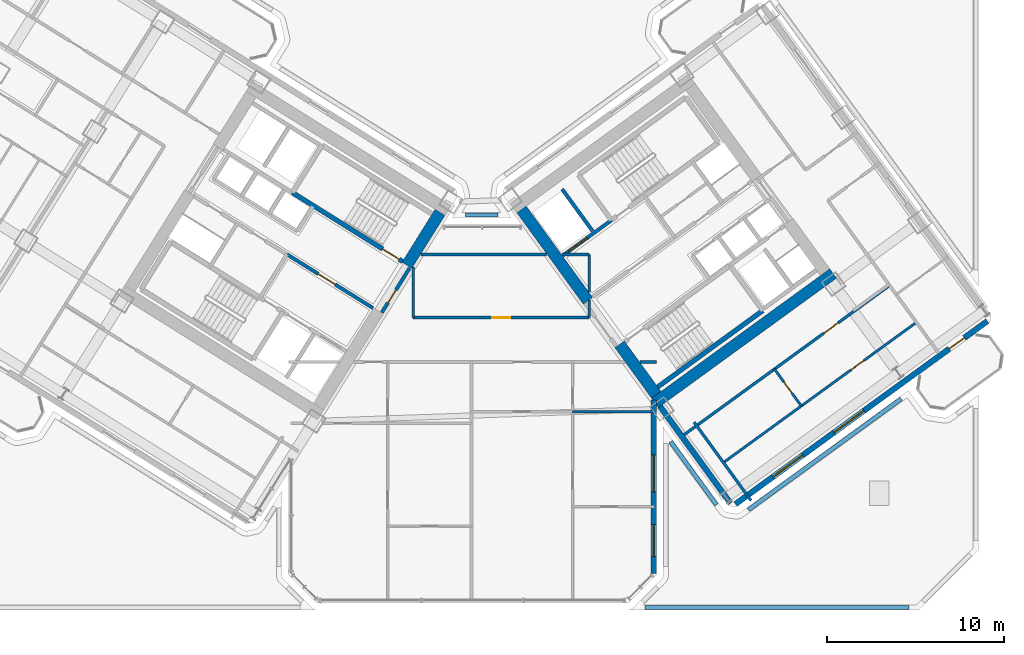
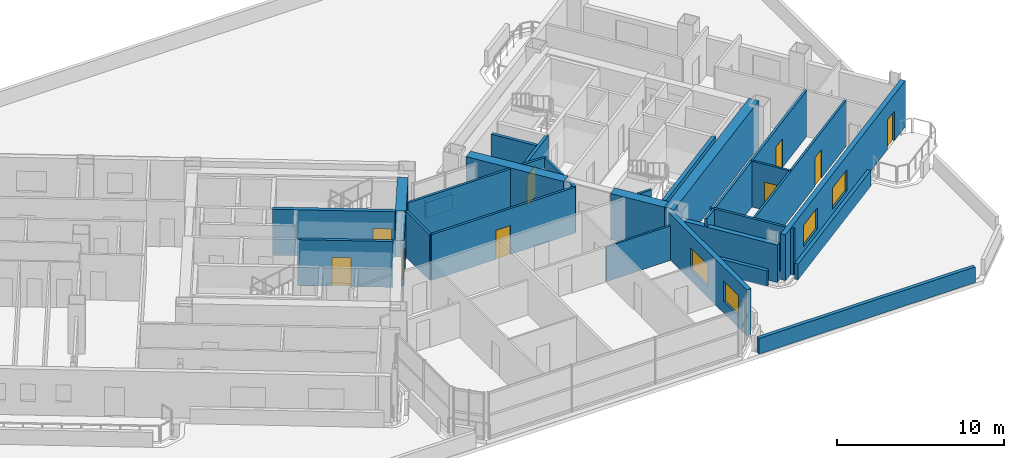
# One storey, part 18 of 28: 29 walls, 9 doors, 4 windows, 13 openings.
"""IFC4 building model written with IfcOpenShell, lengths in metres."""

from ifc_helpers import new_model, si_unit, direction, frame, frame_2d, origin, place, context, subcontext, project, spatial, rectangle, extrude, source, transform, mapped, material, layer, layer_set, type_object, element, fill, save


model = new_model("IFC4")

# Units and contexts
model_context = context("Model", 3, precision=1e-05, world=origin(), true_north=direction((0.0, 1.0)))
body_context = subcontext(model_context, "Body", "Model", "MODEL_VIEW")
ifc_project = project(units=[si_unit("LENGTHUNIT", "METRE"), si_unit("AREAUNIT", "SQUARE_METRE"), si_unit("VOLUMEUNIT", "CUBIC_METRE"), si_unit("PLANEANGLEUNIT", "RADIAN"), si_unit("MASSUNIT", "GRAM", prefix="KILO")], contexts=[model_context])

# Site, building, storey
site_placement = place(None, origin())
site = spatial("IfcSite", under=ifc_project, at=site_placement, CompositionType="ELEMENT")
building_placement = place(site_placement, origin())
building = spatial("IfcBuilding", under=site, at=building_placement, Name="Tlacorven Tower", CompositionType="ELEMENT")
storey_placement = place(building_placement, frame((0.0, 0.0, 24.0)))
storey = spatial("IfcBuildingStorey", under=building, at=storey_placement, Name="L05", CompositionType="ELEMENT", Elevation=24.0)

# Walls
ifc_material_1 = material(Name="Concrete C60/75", Category="concrete")
ifc_layer_1 = layer(ifc_material_1, 0.64990234375)
ifc_layer_set_1 = layer_set([ifc_layer_1], Name="Concrete C60/75")
wall_type_1 = type_object("IfcWallType", Name="WL-COR-650", PredefinedType="SHEAR", material=ifc_layer_set_1)
wall_1_placement = place(storey_placement, frame((40.167724609375, 23.880126953125, 0.0), z_axis=(0.0, 0.0, 1.0), x_axis=(-0.529893103397, -0.8480644427, 0.0)))
element("IfcWall", 1, at=wall_1_placement, inside=storey, type_object=wall_type_1, Name="L05 W core end wall E1.1", PredefinedType="SHEAR", context=body_context, shape_type="SweptSolid", body=[
    extrude(rectangle(XDim=3.525146484375, YDim=0.64990234375, at=frame_2d((1.7626953125, 0.0))), origin(), (0.0, 0.0, 1.0), 3.35009765625),
])
wall_2_placement = place(storey_placement, frame((52.318359375, 13.1103515625, 0.0), z_axis=(0.0, 0.0, 1.0), x_axis=(0.809019445368, 0.587781878776, 0.0)))
element("IfcWall", 2, at=wall_2_placement, inside=storey, type_object=wall_type_1, Name="L05 E core shear wall S1", PredefinedType="SHEAR", context=body_context, shape_type="SweptSolid", body=[
    extrude(rectangle(XDim=12.43994140625, YDim=0.64990234375, at=frame_2d((6.219970703125, 0.0))), origin(), (0.0, 0.0, 1.0), 3.35009765625),
])
wall_3_placement = place(storey_placement, frame((52.390380859375, 13.564208984375, 0.0), z_axis=(0.0, 0.0, 1.0), x_axis=(-0.58779688989, 0.809008539037, 0.0)))
element("IfcWall", 3, at=wall_3_placement, inside=storey, type_object=wall_type_1, Name="L05 E core end wall E1.1", PredefinedType="SHEAR", context=body_context, shape_type="SweptSolid", body=[
    extrude(rectangle(XDim=3.525146484375, YDim=0.64990234375, at=frame_2d((1.7626953125, 0.0))), origin(), (0.0, 0.0, 1.0), 3.35009765625),
])
wall_4_placement = place(storey_placement, frame((48.525634765625, 18.883544921875, 0.0), z_axis=(0.0, 0.0, 1.0), x_axis=(-0.58777996584, 0.809020835181, 0.0)))
element("IfcWall", 4, at=wall_4_placement, inside=storey, type_object=wall_type_1, Name="L05 E core end wall E1.2", PredefinedType="SHEAR", context=body_context, shape_type="SweptSolid", body=[
    extrude(rectangle(XDim=6.375, YDim=0.64990234375, at=frame_2d((3.1875, 0.0))), origin(), (0.0, 0.0, 1.0), 3.35009765625),
])
ifc_material_2 = material(Name="Gypsum plasterboard acoustic partition", Category="gypsum")
ifc_layer_2 = layer(ifc_material_2, 0.159912109375)
ifc_layer_set_2 = layer_set([ifc_layer_2], Name="Gypsum plasterboard acoustic partition")
wall_type_2 = type_object("IfcWallType", Name="WL-DEM-160", PredefinedType="PARTITIONING", material=ifc_layer_set_2)
wall_5_placement = place(storey_placement, frame((51.477294921875, 15.419921875, 0.0), z_axis=(0.0, 0.0, 1.0), x_axis=(1.0, 0.0, 0.0)))
element("IfcWall", 5, at=wall_5_placement, inside=storey, type_object=wall_type_2, Name="L05 Knuckle Corridor South Wall", PredefinedType="PARTITIONING", context=body_context, shape_type="SweptSolid", body=[
    extrude(rectangle(XDim=0.922607421875, YDim=0.159912109375, at=frame_2d((0.46142578125, 0.0))), origin(), (0.0, 0.0, 1.0), 3.340087890625),
])

# Wall, opening, door
wall_6_placement = place(storey_placement, frame((38.64990234375, 17.929931640625, 0.0), z_axis=(0.0, 0.0, 1.0), x_axis=(1.0, 0.0, 0.0)))
wall_6 = element("IfcWall", 6, at=wall_6_placement, inside=storey, type_object=wall_type_2, Name="L05 partition 75", PredefinedType="PARTITIONING", context=body_context, shape_type="SweptSolid", body=[
    extrude(rectangle(XDim=9.9501953125, YDim=0.159912109375, at=frame_2d((4.97509765625, 0.0))), origin(), (0.0, 0.0, 1.0), 3.340087890625),
])
opening_1_placement = place(wall_6_placement, frame((4.47509765625, 0.0, 0.0)))
opening_1 = element("IfcOpeningElement", 7, at=opening_1_placement, cuts=wall_6, Name="Opening D11", PredefinedType="OPENING", context=body_context, shape_type="SweptSolid", body=[
    extrude(rectangle(XDim=1.0, YDim=2.10009765625, at=frame_2d((0.5, 1.050048828125))), frame((0.0, 0.08984375, 0.0), z_axis=(0.0, -1.0, 0.0), x_axis=(1.0, 0.0, 0.0)), (0.0, 0.0, 1.0), 0.179931640625),
])
ifc_material_3 = material(Name="Fire-rated steel door assembly", Category="steel")
door_type_1 = type_object("IfcDoorType", Name="DR-FLT-FD60-1000", OperationType="NOTDEFINED", PredefinedType="DOOR", material=ifc_material_3)
shared_shape_1 = source(origin(), body_context, "Body", "SweptSolid", [
    extrude(rectangle(XDim=1.0, YDim=2.10009765625, at=frame_2d((0.5, 1.050048828125))), frame((0.0, 0.02490234375, 0.0), z_axis=(0.0, -1.0, 0.0), x_axis=(1.0, 0.0, 0.0)), (0.0, 0.0, 1.0), 0.050048828125),
])
door_1_placement = place(opening_1_placement, origin())
door_1 = element("IfcDoor", 8, at=door_1_placement, inside=storey, type_object=door_type_1, Name="L05 door 041", OperationType="SINGLE_SWING_RIGHT", OverallHeight=2.10009765625, OverallWidth=1.0, PredefinedType="DOOR", context=body_context, shape_type="MappedRepresentation", body=[
    mapped(shared_shape_1, transform((0.0, 0.0, 0.0), scale=1.0)),
])
fill(opening_1, door_1)

# Walls
wall_7_placement = place(storey_placement, frame((38.64990234375, 17.929931640625, 0.0), z_axis=(0.0, 0.0, 1.0), x_axis=(0.0, 1.0, 0.0)))
element("IfcWall", 9, at=wall_7_placement, inside=storey, type_object=wall_type_2, Name="L05 partition 76", PredefinedType="PARTITIONING", context=body_context, shape_type="SweptSolid", body=[
    extrude(rectangle(XDim=2.85693359375, YDim=0.159912109375, at=frame_2d((1.428466796875, 0.0))), origin(), (0.0, 0.0, 1.0), 3.340087890625),
])
wall_8_placement = place(storey_placement, frame((48.60009765625, 17.929931640625, 0.0), z_axis=(0.0, 0.0, 1.0), x_axis=(0.0, 1.0, 0.0)))
element("IfcWall", 10, at=wall_8_placement, inside=storey, type_object=wall_type_2, Name="L05 partition 77", PredefinedType="PARTITIONING", context=body_context, shape_type="SweptSolid", body=[
    extrude(rectangle(XDim=0.99267578125, YDim=0.159912109375, at=frame_2d((0.496337890625, 0.0))), origin(), (0.0, 0.0, 1.0), 3.340087890625),
])
wall_9_placement = place(storey_placement, frame((48.60009765625, 19.380126953125, 0.0), z_axis=(0.0, 0.0, 1.0), x_axis=(0.0, 1.0, 0.0)))
element("IfcWall", 11, at=wall_9_placement, inside=storey, type_object=wall_type_2, Name="L05 partition 77", PredefinedType="PARTITIONING", context=body_context, shape_type="SweptSolid", body=[
    extrude(rectangle(XDim=2.119873046875, YDim=0.159912109375, at=frame_2d((1.06005859375, 0.0))), origin(), (0.0, 0.0, 1.0), 3.340087890625),
])
wall_10_placement = place(storey_placement, frame((39.095458984375, 21.5, 0.0), z_axis=(0.0, 0.0, 1.0), x_axis=(1.0, 0.0, 0.0)))
element("IfcWall", 12, at=wall_10_placement, inside=storey, type_object=wall_type_2, Name="L05 partition 78", PredefinedType="PARTITIONING", context=body_context, shape_type="SweptSolid", body=[
    extrude(rectangle(XDim=7.09423828125, YDim=0.159912109375, at=frame_2d((3.547119140625, 0.0))), origin(), (0.0, 0.0, 1.0), 3.340087890625),
])
wall_11_placement = place(storey_placement, frame((47.059814453125, 21.5, 0.0), z_axis=(0.0, 0.0, 1.0), x_axis=(1.0, 0.0, 0.0)))
element("IfcWall", 13, at=wall_11_placement, inside=storey, type_object=wall_type_2, Name="L05 partition 78", PredefinedType="PARTITIONING", context=body_context, shape_type="SweptSolid", body=[
    extrude(rectangle(XDim=1.540283203125, YDim=0.159912109375, at=frame_2d((0.77001953125, 0.0))), origin(), (0.0, 0.0, 1.0), 3.340087890625),
])

# Wall, opening, door
wall_12_placement = place(storey_placement, frame((53.70458984375, 11.1259765625, 0.0), z_axis=(0.0, 0.0, 1.0), x_axis=(0.809014504436, 0.587788679384, 0.0)))
wall_12 = element("IfcWall", 14, at=wall_12_placement, inside=storey, type_object=wall_type_2, Name="L05 partition 98", PredefinedType="PARTITIONING", context=body_context, shape_type="SweptSolid", body=[
    extrude(rectangle(XDim=14.669921875, YDim=0.159912109375, at=frame_2d((7.3349609375, 0.0))), origin(), (0.0, 0.0, 1.0), 3.340087890625),
])
opening_2_placement = place(wall_12_placement, frame((10.080078125, 0.0, 0.0)))
opening_2 = element("IfcOpeningElement", 15, at=opening_2_placement, cuts=wall_12, Name="Opening D11", PredefinedType="OPENING", context=body_context, shape_type="SweptSolid", body=[
    extrude(rectangle(XDim=1.0, YDim=2.10009765625, at=frame_2d((0.5, 1.050048828125))), frame((0.0, 0.08984375, 0.0), z_axis=(0.0, -1.0, 0.0), x_axis=(1.0, 0.0, 0.0)), (0.0, 0.0, 1.0), 0.179931640625),
])
door_2_placement = place(opening_2_placement, origin())
door_2 = element("IfcDoor", 16, at=door_2_placement, inside=storey, type_object=door_type_1, Name="L05 door 059", OperationType="SINGLE_SWING_RIGHT", OverallHeight=2.10009765625, OverallWidth=1.0, PredefinedType="DOOR", context=body_context, shape_type="MappedRepresentation", body=[
    mapped(shared_shape_1, transform((0.0, 0.0, 0.0), scale=1.0)),
])
fill(opening_2, door_2)

# Wall
wall_13_placement = place(storey_placement, frame((57.747314453125, 7.586181640625, 0.0), z_axis=(0.0, 0.0, 1.0), x_axis=(-0.587784893399, 0.809017255126, 0.0)))
element("IfcWall", 17, at=wall_13_placement, inside=storey, type_object=wall_type_2, Name="L05 EC West Throat Wall", PredefinedType="PARTITIONING", context=body_context, shape_type="SweptSolid", body=[
    extrude(rectangle(XDim=5.480224609375, YDim=0.159912109375, at=frame_2d((2.740234375, 0.0))), origin(), (0.0, 0.0, 1.0), 3.340087890625),
])

# Wall, openings, door, windows
ifc_material_4 = material(Name="Precast concrete C45/55", Category="concrete")
ifc_layer_3 = layer(ifc_material_4, 0.320068359375)
ifc_layer_set_3 = layer_set([ifc_layer_3], Name="Precast concrete C45/55")
wall_type_3 = type_object("IfcWallType", Name="WL-EXT-320", PredefinedType="STANDARD", material=ifc_layer_set_3)
wall_14_placement = place(storey_placement, frame((71.097900390625, 17.73095703125, 0.0), z_axis=(0.0, 0.0, 1.0), x_axis=(-0.809021120468, -0.587779573171, 0.0)))
wall_14 = element("IfcWall", 18, at=wall_14_placement, inside=storey, type_object=wall_type_3, Name="L05 Masonry-Frame Recessed Facade Wall 6", PredefinedType="STANDARD", context=body_context, shape_type="SweptSolid", body=[
    extrude(rectangle(XDim=17.587646484375, YDim=0.320068359375, at=frame_2d((8.7939453125, 0.0))), origin(), (0.0, 0.0, 1.0), 3.35009765625),
])
opening_3_placement = place(wall_14_placement, frame((1.611083984375, 0.0, 0.0)))
opening_3 = element("IfcOpeningElement", 19, at=opening_3_placement, cuts=wall_14, Name="Opening D06", PredefinedType="OPENING", context=body_context, shape_type="SweptSolid", body=[
    extrude(rectangle(XDim=1.050048828125, YDim=2.14990234375, at=frame_2d((0.52490234375, 1.074951171875))), frame((0.0, 0.169921875, 0.0), z_axis=(0.0, -1.0, 0.0), x_axis=(1.0, 0.0, 0.0)), (0.0, 0.0, 1.0), 0.340087890625),
])
opening_4_placement = place(wall_14_placement, frame((8.606201171875, 0.0, 0.800048828125)))
opening_4 = element("IfcOpeningElement", 20, at=opening_4_placement, cuts=wall_14, Name="Opening WN04", PredefinedType="OPENING", context=body_context, shape_type="SweptSolid", body=[
    extrude(rectangle(XDim=2.10009765625, YDim=1.550048828125, at=frame_2d((1.050048828125, 0.77490234375))), frame((0.0, 0.169921875, 0.0), z_axis=(0.0, -1.0, 0.0), x_axis=(1.0, 0.0, 0.0)), (0.0, 0.0, 1.0), 0.340087890625),
])
opening_5_placement = place(wall_14_placement, frame((12.881103515625, 0.0, 0.800048828125)))
opening_5 = element("IfcOpeningElement", 21, at=opening_5_placement, cuts=wall_14, Name="Opening WN04", PredefinedType="OPENING", context=body_context, shape_type="SweptSolid", body=[
    extrude(rectangle(XDim=2.10009765625, YDim=1.550048828125, at=frame_2d((1.050048828125, 0.77490234375))), frame((0.0, 0.169921875, 0.0), z_axis=(0.0, -1.0, 0.0), x_axis=(1.0, 0.0, 0.0)), (0.0, 0.0, 1.0), 0.340087890625),
])
ifc_material_5 = material(Name="Powder-coated aluminium and timber door", Category="wood")
door_type_2 = type_object("IfcDoorType", Name="DR-EXT-BALC-1050", OperationType="NOTDEFINED", PredefinedType="DOOR", material=ifc_material_5)
shared_shape_2 = source(origin(), body_context, "Body", "SweptSolid", [
    extrude(rectangle(XDim=1.050048828125, YDim=2.14990234375, at=frame_2d((0.52490234375, 1.074951171875))), frame((0.0, 0.02490234375, 0.0), z_axis=(0.0, -1.0, 0.0), x_axis=(1.0, 0.0, 0.0)), (0.0, 0.0, 1.0), 0.050048828125),
])
door_3_placement = place(opening_3_placement, origin())
door_3 = element("IfcDoor", 22, at=door_3_placement, inside=storey, type_object=door_type_2, Name="L05 Outdoor Access Door BAL-L05-E-OUT", OperationType="SINGLE_SWING_LEFT", OverallHeight=2.14990234375, OverallWidth=1.050048828125, PredefinedType="DOOR", context=body_context, shape_type="MappedRepresentation", body=[
    mapped(shared_shape_2, transform((0.0, 0.0, 0.0), scale=1.0)),
])
fill(opening_3, door_3)
ifc_material_6 = material(Name="Dark solar low-E double glazing in anodised aluminium frame", Category="aluminium")
window_type_1 = type_object("IfcWindowType", Name="WN-APT-2100X1750", PartitioningType="SINGLE_PANEL", PredefinedType="WINDOW", material=ifc_material_6)
shared_shape_3 = source(origin(), body_context, "Body", "SweptSolid", [
    extrude(rectangle(XDim=2.10009765625, YDim=1.550048828125, at=frame_2d((1.050048828125, 0.77490234375))), frame((0.0, 0.030029296875, 0.0), z_axis=(0.0, -1.0, 0.0), x_axis=(1.0, 0.0, 0.0)), (0.0, 0.0, 1.0), 0.06005859375),
])
window_1_placement = place(opening_4_placement, origin())
window_1 = element("IfcWindow", 23, at=window_1_placement, inside=storey, type_object=window_type_1, Name="L05 Recessed Masonry-Frame Window L05-06.1", OverallHeight=1.550048828125, OverallWidth=2.10009765625, PartitioningType="SINGLE_PANEL", PredefinedType="WINDOW", context=body_context, shape_type="MappedRepresentation", body=[
    mapped(shared_shape_3, transform((0.0, 0.0, 0.0), scale=1.0)),
])
fill(opening_4, window_1)
window_2_placement = place(opening_5_placement, origin())
window_2 = element("IfcWindow", 24, at=window_2_placement, inside=storey, type_object=window_type_1, Name="L05 Recessed Masonry-Frame Window L05-06.2", OverallHeight=1.550048828125, OverallWidth=2.10009765625, PartitioningType="SINGLE_PANEL", PredefinedType="WINDOW", context=body_context, shape_type="MappedRepresentation", body=[
    mapped(shared_shape_3, transform((0.0, 0.0, 0.0), scale=1.0)),
])
fill(opening_5, window_2)

# Wall
wall_15_placement = place(storey_placement, frame((56.5810546875, 7.43896484375, 0.0), z_axis=(0.0, 0.0, 1.0), x_axis=(-0.587785875463, 0.809016541614, 0.0)))
element("IfcWall", 25, at=wall_15_placement, inside=storey, type_object=wall_type_3, Name="L05 Masonry-Frame Recessed Facade Wall 7", PredefinedType="STANDARD", context=body_context, shape_type="SweptSolid", body=[
    extrude(rectangle(XDim=6.773681640625, YDim=0.320068359375, at=frame_2d((3.38671875, 0.0))), origin(), (0.0, 0.0, 1.0), 2.72509765625),
])

# Wall, openings, windows
wall_16_placement = place(storey_placement, frame((52.239990234375, 13.260986328125, 0.0), z_axis=(0.0, 0.0, 1.0), x_axis=(0.0, -1.0, 0.0)))
wall_16 = element("IfcWall", 26, at=wall_16_placement, inside=storey, type_object=wall_type_3, Name="L05 Masonry-Frame Recessed Facade Wall 8", PredefinedType="STANDARD", context=body_context, shape_type="SweptSolid", body=[
    extrude(rectangle(XDim=9.794677734375, YDim=0.320068359375, at=frame_2d((4.8974609375, 0.0))), origin(), (0.0, 0.0, 1.0), 3.35009765625),
])
opening_6_placement = place(wall_16_placement, frame((3.09375, 0.0, 0.800048828125)))
opening_6 = element("IfcOpeningElement", 27, at=opening_6_placement, cuts=wall_16, Name="Opening WN04", PredefinedType="OPENING", context=body_context, shape_type="SweptSolid", body=[
    extrude(rectangle(XDim=2.10009765625, YDim=1.550048828125, at=frame_2d((1.050048828125, 0.77490234375))), frame((0.0, 0.169921875, 0.0), z_axis=(0.0, -1.0, 0.0), x_axis=(1.0, 0.0, 0.0)), (0.0, 0.0, 1.0), 0.340087890625),
])
opening_7_placement = place(wall_16_placement, frame((7.0302734375, 0.0, 0.85009765625)))
opening_7 = element("IfcOpeningElement", 28, at=opening_7_placement, cuts=wall_16, Name="Opening WN01", PredefinedType="OPENING", context=body_context, shape_type="SweptSolid", body=[
    extrude(rectangle(XDim=1.800048828125, YDim=1.5, at=frame_2d((0.89990234375, 0.75))), frame((0.0, 0.169921875, 0.0), z_axis=(0.0, -1.0, 0.0), x_axis=(1.0, 0.0, 0.0)), (0.0, 0.0, 1.0), 0.340087890625),
])
window_3_placement = place(opening_6_placement, origin())
window_3 = element("IfcWindow", 29, at=window_3_placement, inside=storey, type_object=window_type_1, Name="L05 Recessed Masonry-Frame Window L05-08.1", OverallHeight=1.550048828125, OverallWidth=2.10009765625, PartitioningType="SINGLE_PANEL", PredefinedType="WINDOW", context=body_context, shape_type="MappedRepresentation", body=[
    mapped(shared_shape_3, transform((0.0, 0.0, 0.0), scale=1.0)),
])
fill(opening_6, window_3)
window_type_2 = type_object("IfcWindowType", Name="WN-APT-1800X1650", PartitioningType="SINGLE_PANEL", PredefinedType="WINDOW", material=ifc_material_6)
shared_shape_4 = source(origin(), body_context, "Body", "SweptSolid", [
    extrude(rectangle(XDim=1.800048828125, YDim=1.5, at=frame_2d((0.89990234375, 0.75))), frame((0.0, 0.030029296875, 0.0), z_axis=(0.0, -1.0, 0.0), x_axis=(1.0, 0.0, 0.0)), (0.0, 0.0, 1.0), 0.06005859375),
])
window_4_placement = place(opening_7_placement, origin())
window_4 = element("IfcWindow", 30, at=window_4_placement, inside=storey, type_object=window_type_2, Name="L05 Recessed Masonry-Frame Window L05-08.2", OverallHeight=1.5, OverallWidth=1.800048828125, PartitioningType="SINGLE_PANEL", PredefinedType="WINDOW", context=body_context, shape_type="MappedRepresentation", body=[
    mapped(shared_shape_4, transform((0.0, 0.0, 0.0), scale=1.0)),
])
fill(opening_7, window_4)

# Walls
ifc_layer_4 = layer(ifc_material_4, 0.239990234375)
ifc_layer_set_4 = layer_set([ifc_layer_4], Name="Precast concrete C45/55")
wall_type_4 = type_object("IfcWallType", Name="WL-PAR-240", PredefinedType="PARAPET", material=ifc_layer_set_4)
wall_17_placement = place(storey_placement, frame((43.43212890625, 23.72998046875, 0.0), z_axis=(0.0, 0.0, 1.0), x_axis=(-1.0, 0.0, 0.0)))
element("IfcWall", 31, at=wall_17_placement, inside=storey, type_object=wall_type_4, Name="L05 Podium Setback Parapet 1 11", PredefinedType="PARAPET", context=body_context, shape_type="SweptSolid", body=[
    extrude(rectangle(XDim=1.8369140625, YDim=0.239990234375, at=frame_2d((0.91845703125, 0.0))), origin(), (0.0, 0.0, 1.0), 1.14990234375),
])
wall_18_placement = place(storey_placement, frame((53.200439453125, 10.918212890625, 0.0), z_axis=(0.0, 0.0, 1.0), x_axis=(0.58778337766, -0.809018356372, 0.0)))
element("IfcWall", 32, at=wall_18_placement, inside=storey, type_object=wall_type_4, Name="L05 Podium Setback Parapet 1 22", PredefinedType="PARAPET", context=body_context, shape_type="SweptSolid", body=[
    extrude(rectangle(XDim=4.411865234375, YDim=0.239990234375, at=frame_2d((2.2060546875, 0.0))), origin(), (0.0, 0.0, 1.0), 1.14990234375),
])
wall_19_placement = place(storey_placement, frame((57.59033203125, 7.064453125, 0.0), z_axis=(0.0, 0.0, 1.0), x_axis=(0.809025796011, 0.58777313769, 0.0)))
element("IfcWall", 33, at=wall_19_placement, inside=storey, type_object=wall_type_4, Name="L05 Podium Setback Parapet 1 23", PredefinedType="PARAPET", context=body_context, shape_type="SweptSolid", body=[
    extrude(rectangle(XDim=10.673583984375, YDim=0.239990234375, at=frame_2d((5.3369140625, 0.0))), origin(), (0.0, 0.0, 1.0), 1.14990234375),
])
wall_20_placement = place(storey_placement, frame((66.677978515625, 1.550048828125, 0.0), z_axis=(0.0, 0.0, 1.0), x_axis=(-1.0, 0.0, 0.0)))
element("IfcWall", 34, at=wall_20_placement, inside=storey, type_object=wall_type_4, Name="L05 Podium Setback Parapet 1 27", PredefinedType="PARAPET", context=body_context, shape_type="SweptSolid", body=[
    extrude(rectangle(XDim=14.91845703125, YDim=0.239990234375, at=frame_2d((7.459228515625, 0.0))), origin(), (0.0, 0.0, 1.0), 1.14990234375),
])
ifc_material_7 = material(Name="Moisture-resistant gypsum plumbing wall", Category="gypsum")
ifc_layer_5 = layer(ifc_material_7, 0.139892578125)
ifc_layer_set_5 = layer_set([ifc_layer_5], Name="Moisture-resistant gypsum plumbing wall")
wall_type_5 = type_object("IfcWallType", Name="WL-PLM-140", PredefinedType="PLUMBINGWALL", material=ifc_layer_set_5)
wall_21_placement = place(storey_placement, frame((47.6630859375, 12.60009765625, 0.0), z_axis=(0.0, 0.0, 1.0), x_axis=(1.0, 0.0, 0.0)))
element("IfcWall", 35, at=wall_21_placement, inside=storey, type_object=wall_type_5, Name="L05 partition 87", PredefinedType="PLUMBINGWALL", context=body_context, shape_type="SweptSolid", body=[
    extrude(rectangle(XDim=4.535400390625, YDim=0.139892578125, at=frame_2d((2.267578125, 0.0))), origin(), (0.0, 0.0, 1.0), 2.52490234375),
])

# Wall, opening, door
wall_22_placement = place(storey_placement, frame((56.24853515625, 9.78515625, 0.0), z_axis=(0.0, 0.0, 1.0), x_axis=(0.809011747655, 0.587792473715, 0.0)))
wall_22 = element("IfcWall", 36, at=wall_22_placement, inside=storey, type_object=wall_type_5, Name="L05 partition 100", PredefinedType="PLUMBINGWALL", context=body_context, shape_type="SweptSolid", body=[
    extrude(rectangle(XDim=13.400146484375, YDim=0.139892578125, at=frame_2d((6.7001953125, 0.0))), origin(), (0.0, 0.0, 1.0), 3.340087890625),
])
opening_8_placement = place(wall_22_placement, frame((8.820068359375, 0.0, 0.0)))
opening_8 = element("IfcOpeningElement", 37, at=opening_8_placement, cuts=wall_22, Name="Opening D12", PredefinedType="OPENING", context=body_context, shape_type="SweptSolid", body=[
    extrude(rectangle(XDim=0.919921875, YDim=2.080078125, at=frame_2d((0.4599609375, 1.0400390625))), frame((0.0, 0.080078125, 0.0), z_axis=(0.0, -1.0, 0.0), x_axis=(1.0, 0.0, 0.0)), (0.0, 0.0, 1.0), 0.159912109375),
])
door_type_3 = type_object("IfcDoorType", Name="DR-INT-ROOM-0920", OperationType="NOTDEFINED", PredefinedType="DOOR", material=ifc_material_5)
shared_shape_5 = source(origin(), body_context, "Body", "SweptSolid", [
    extrude(rectangle(XDim=0.919921875, YDim=2.080078125, at=frame_2d((0.4599609375, 1.0400390625))), frame((0.0, 0.02490234375, 0.0), z_axis=(0.0, -1.0, 0.0), x_axis=(1.0, 0.0, 0.0)), (0.0, 0.0, 1.0), 0.050048828125),
])
door_4_placement = place(opening_8_placement, origin())
door_4 = element("IfcDoor", 38, at=door_4_placement, inside=storey, type_object=door_type_3, Name="L05 door 060", OperationType="SINGLE_SWING_LEFT", OverallHeight=2.080078125, OverallWidth=0.919921875, PredefinedType="DOOR", context=body_context, shape_type="MappedRepresentation", body=[
    mapped(shared_shape_5, transform((0.0, 0.0, 0.0), scale=1.0)),
])
fill(opening_8, door_4)

wall_23_placement = place(storey_placement, frame((60.584716796875, 12.935791015625, 0.0), z_axis=(0.0, 0.0, 1.0), x_axis=(-0.587772116736, 0.809026537752, 0.0)))
wall_23 = element("IfcWall", 39, at=wall_23_placement, inside=storey, type_object=wall_type_5, Name="L05 partition 101", PredefinedType="PLUMBINGWALL", context=body_context, shape_type="SweptSolid", body=[
    extrude(rectangle(XDim=2.579833984375, YDim=0.139892578125, at=frame_2d((1.2900390625, 0.0))), origin(), (0.0, 0.0, 1.0), 3.340087890625),
])
opening_9_placement = place(wall_23_placement, frame((0.89990234375, 0.0, 0.0)))
opening_9 = element("IfcOpeningElement", 40, at=opening_9_placement, cuts=wall_23, Name="Opening D22", PredefinedType="OPENING", context=body_context, shape_type="SweptSolid", body=[
    extrude(rectangle(XDim=0.780029296875, YDim=2.050048828125, at=frame_2d((0.39013671875, 1.02490234375))), frame((0.0, 0.080078125, 0.0), z_axis=(0.0, -1.0, 0.0), x_axis=(1.0, 0.0, 0.0)), (0.0, 0.0, 1.0), 0.159912109375),
])
door_type_4 = type_object("IfcDoorType", Name="DR-INT-WET-0780", OperationType="NOTDEFINED", PredefinedType="DOOR", material=ifc_material_5)
shared_shape_6 = source(origin(), body_context, "Body", "SweptSolid", [
    extrude(rectangle(XDim=0.780029296875, YDim=2.050048828125, at=frame_2d((0.39013671875, 1.02490234375))), frame((0.0, 0.02490234375, 0.0), z_axis=(0.0, -1.0, 0.0), x_axis=(1.0, 0.0, 0.0)), (0.0, 0.0, 1.0), 0.050048828125),
])
door_5_placement = place(opening_9_placement, origin())
door_5 = element("IfcDoor", 41, at=door_5_placement, inside=storey, type_object=door_type_4, Name="L05 door 061", OperationType="SINGLE_SWING_RIGHT", OverallHeight=2.050048828125, OverallWidth=0.780029296875, PredefinedType="DOOR", context=body_context, shape_type="MappedRepresentation", body=[
    mapped(shared_shape_6, transform((0.0, 0.0, 0.0), scale=1.0)),
])
fill(opening_9, door_5)

ifc_material_8 = material(Name="Concrete C40/50", Category="concrete")
ifc_layer_6 = layer(ifc_material_8, 0.199951171875)
ifc_layer_set_6 = layer_set([ifc_layer_6], Name="Concrete C40/50")
wall_type_6 = type_object("IfcWallType", Name="WL-SHF-200", PredefinedType="STANDARD", material=ifc_layer_set_6)
wall_24_placement = place(storey_placement, frame((36.374267578125, 18.4736328125, 0.0), z_axis=(0.0, 0.0, 1.0), x_axis=(-0.848051071577, 0.529914502535, 0.0)))
wall_24 = element("IfcWall", 42, at=wall_24_placement, inside=storey, type_object=wall_type_6, Name="L05 Core W Smoke Lobby Wall", PredefinedType="STANDARD", context=body_context, shape_type="SweptSolid", body=[
    extrude(rectangle(XDim=5.718017578125, YDim=0.199951171875, at=frame_2d((2.85888671875, 0.0))), origin(), (0.0, 0.0, 1.0), 3.340087890625),
])
opening_10_placement = place(wall_24_placement, frame((2.498046875, 0.0, 0.0)))
opening_10 = element("IfcOpeningElement", 43, at=opening_10_placement, cuts=wall_24, Name="Opening D09", PredefinedType="OPENING", context=body_context, shape_type="SweptSolid", body=[
    extrude(rectangle(XDim=1.14990234375, YDim=2.10009765625, at=frame_2d((0.574951171875, 1.050048828125))), frame((0.0, 0.10986328125, 0.0), z_axis=(0.0, -1.0, 0.0), x_axis=(1.0, 0.0, 0.0)), (0.0, 0.0, 1.0), 0.219970703125),
])
door_type_5 = type_object("IfcDoorType", Name="DR-FFL-FD60-1150", OperationType="NOTDEFINED", PredefinedType="DOOR", material=ifc_material_3)
shared_shape_7 = source(origin(), body_context, "Body", "SweptSolid", [
    extrude(rectangle(XDim=1.14990234375, YDim=2.10009765625, at=frame_2d((0.574951171875, 1.050048828125))), frame((0.0, 0.02490234375, 0.0), z_axis=(0.0, -1.0, 0.0), x_axis=(1.0, 0.0, 0.0)), (0.0, 0.0, 1.0), 0.050048828125),
])
door_6_placement = place(opening_10_placement, origin())
door_6 = element("IfcDoor", 44, at=door_6_placement, inside=storey, type_object=door_type_5, Name="L05 Firefighting Lobby W Fire Door", OperationType="SINGLE_SWING_LEFT", OverallHeight=2.10009765625, OverallWidth=1.14990234375, PredefinedType="DOOR", context=body_context, shape_type="MappedRepresentation", body=[
    mapped(shared_shape_7, transform((0.0, 0.0, 0.0), scale=1.0)),
])
fill(opening_10, door_6)

wall_25_placement = place(storey_placement, frame((47.10595703125, 21.4365234375, 0.0), z_axis=(0.0, 0.0, 1.0), x_axis=(0.809012514015, 0.58779141893, 0.0)))
wall_25 = element("IfcWall", 45, at=wall_25_placement, inside=storey, type_object=wall_type_6, Name="L05 Core E Firefighting Lift Shaft Front Wall", PredefinedType="STANDARD", context=body_context, shape_type="SweptSolid", body=[
    extrude(rectangle(XDim=3.39794921875, YDim=0.199951171875, at=frame_2d((1.698974609375, 0.0))), origin(), (0.0, 0.0, 1.0), 3.340087890625),
])
opening_11_placement = place(wall_25_placement, frame((0.407958984375, 0.0, 0.0)))
opening_11 = element("IfcOpeningElement", 46, at=opening_11_placement, cuts=wall_25, Name="Opening LD03", PredefinedType="OPENING", context=body_context, shape_type="SweptSolid", body=[
    extrude(rectangle(XDim=1.300048828125, YDim=2.199951171875, at=frame_2d((0.64990234375, 1.10009765625))), frame((0.0, 0.10986328125, 0.0), z_axis=(0.0, -1.0, 0.0), x_axis=(1.0, 0.0, 0.0)), (0.0, 0.0, 1.0), 0.219970703125),
])
door_type_6 = type_object("IfcDoorType", Name="DR-LFT-SLID-1300", OperationType="DOUBLE_DOOR_SLIDING", PredefinedType="DOOR", material=ifc_material_3)
shared_shape_8 = source(origin(), body_context, "Body", "SweptSolid", [
    extrude(rectangle(XDim=1.300048828125, YDim=2.199951171875, at=frame_2d((0.64990234375, 1.10009765625))), frame((0.0, 0.02490234375, 0.0), z_axis=(0.0, -1.0, 0.0), x_axis=(1.0, 0.0, 0.0)), (0.0, 0.0, 1.0), 0.050048828125),
])
door_7_placement = place(opening_11_placement, origin())
door_7 = element("IfcDoor", 47, at=door_7_placement, inside=storey, type_object=door_type_6, Name="L05 Lift FFL-E1 Sliding Landing Door", OperationType="DOUBLE_DOOR_SLIDING", OverallHeight=2.199951171875, OverallWidth=1.300048828125, PredefinedType="DOOR", context=body_context, shape_type="MappedRepresentation", body=[
    mapped(shared_shape_8, transform((0.0, 0.0, 0.0), scale=1.0)),
])
fill(opening_11, door_7)

# Wall
wall_26_placement = place(storey_placement, frame((48.78564453125, 22.830078125, 0.0), z_axis=(0.0, 0.0, 1.0), x_axis=(-0.587783856777, 0.809018008275, 0.0)))
element("IfcWall", 48, at=wall_26_placement, inside=storey, type_object=wall_type_6, Name="L05 partition 35", PredefinedType="STANDARD", context=body_context, shape_type="SweptSolid", body=[
    extrude(rectangle(XDim=2.919921875, YDim=0.199951171875, at=frame_2d((1.4599609375, 0.0))), origin(), (0.0, 0.0, 1.0), 3.340087890625),
])

# Wall, opening, door
wall_27_placement = place(storey_placement, frame((38.451416015625, 20.737060546875, 0.0), z_axis=(0.0, 0.0, 1.0), x_axis=(-0.529924799939, -0.848044637038, 0.0)))
wall_27 = element("IfcWall", 49, at=wall_27_placement, inside=storey, type_object=wall_type_6, Name="L05 partition 73", PredefinedType="STANDARD", context=body_context, shape_type="SweptSolid", body=[
    extrude(rectangle(XDim=2.9599609375, YDim=0.199951171875, at=frame_2d((1.47998046875, 0.0))), origin(), (0.0, 0.0, 1.0), 3.340087890625),
])
opening_12_placement = place(wall_27_placement, frame((1.4599609375, 0.0, 0.0)))
opening_12 = element("IfcOpeningElement", 50, at=opening_12_placement, cuts=wall_27, Name="Opening D19", PredefinedType="OPENING", context=body_context, shape_type="SweptSolid", body=[
    extrude(rectangle(XDim=0.860107421875, YDim=2.050048828125, at=frame_2d((0.43017578125, 1.02490234375))), frame((0.0, 0.10986328125, 0.0), z_axis=(0.0, -1.0, 0.0), x_axis=(1.0, 0.0, 0.0)), (0.0, 0.0, 1.0), 0.219970703125),
])
door_type_7 = type_object("IfcDoorType", Name="DR-RSR-FD60-0860", OperationType="NOTDEFINED", PredefinedType="DOOR", material=ifc_material_3)
shared_shape_9 = source(origin(), body_context, "Body", "SweptSolid", [
    extrude(rectangle(XDim=0.860107421875, YDim=2.050048828125, at=frame_2d((0.43017578125, 1.02490234375))), frame((0.0, 0.02490234375, 0.0), z_axis=(0.0, -1.0, 0.0), x_axis=(1.0, 0.0, 0.0)), (0.0, 0.0, 1.0), 0.050048828125),
])
door_8_placement = place(opening_12_placement, frame((0.860107421875, 0.0, 0.0), z_axis=(0.0, 0.0, 1.0), x_axis=(-1.0, 0.0, 0.0)))
door_8 = element("IfcDoor", 51, at=door_8_placement, inside=storey, type_object=door_type_7, Name="L05 door 042", OperationType="SINGLE_SWING_LEFT", OverallHeight=2.050048828125, OverallWidth=0.860107421875, PredefinedType="DOOR", context=body_context, shape_type="MappedRepresentation", body=[
    mapped(shared_shape_9, transform((0.0, 0.0, 0.0), scale=1.0)),
])
fill(opening_12, door_8)

ifc_material_9 = material(Name="Concrete C50/60", Category="concrete")
ifc_layer_7 = layer(ifc_material_9, 0.260009765625)
ifc_layer_set_7 = layer_set([ifc_layer_7], Name="Concrete C50/60")
wall_type_7 = type_object("IfcWallType", Name="WL-STW-260", PredefinedType="SHEAR", material=ifc_layer_set_7)
wall_28_placement = place(storey_placement, frame((38.04638671875, 21.10791015625, 0.0), z_axis=(0.0, 0.0, 1.0), x_axis=(-0.848054434086, 0.529909121291, 0.0)))
wall_28 = element("IfcWall", 52, at=wall_28_placement, inside=storey, type_object=wall_type_7, Name="L05 Stair W2 Lobby Shear Wall", PredefinedType="SHEAR", context=body_context, shape_type="SweptSolid", body=[
    extrude(rectangle(XDim=7.330078125, YDim=0.260009765625, at=frame_2d((3.6650390625, 0.0))), origin(), (0.0, 0.0, 1.0), 3.35009765625),
])
opening_13_placement = place(wall_28_placement, frame((0.219970703125, 0.0, 0.0)))
opening_13 = element("IfcOpeningElement", 53, at=opening_13_placement, cuts=wall_28, Name="Opening D07", PredefinedType="OPENING", context=body_context, shape_type="SweptSolid", body=[
    extrude(rectangle(XDim=1.10009765625, YDim=2.10009765625, at=frame_2d((0.550048828125, 1.050048828125))), frame((0.0, 0.14013671875, 0.0), z_axis=(0.0, -1.0, 0.0), x_axis=(1.0, 0.0, 0.0)), (0.0, 0.0, 1.0), 0.280029296875),
])
door_type_8 = type_object("IfcDoorType", Name="DR-STR-FD90-1100", OperationType="NOTDEFINED", PredefinedType="DOOR", material=ifc_material_3)
shared_shape_10 = source(origin(), body_context, "Body", "SweptSolid", [
    extrude(rectangle(XDim=1.10009765625, YDim=2.10009765625, at=frame_2d((0.550048828125, 1.050048828125))), frame((0.0, 0.02490234375, 0.0), z_axis=(0.0, -1.0, 0.0), x_axis=(1.0, 0.0, 0.0)), (0.0, 0.0, 1.0), 0.050048828125),
])
door_9_placement = place(opening_13_placement, origin())
door_9 = element("IfcDoor", 54, at=door_9_placement, inside=storey, type_object=door_type_8, Name="L05 Exit Stair W2 Fire Door", OperationType="SINGLE_SWING_RIGHT", OverallHeight=2.10009765625, OverallWidth=1.10009765625, PredefinedType="DOOR", context=body_context, shape_type="MappedRepresentation", body=[
    mapped(shared_shape_10, transform((0.0, 0.0, 0.0), scale=1.0)),
])
fill(opening_13, door_9)

# Wall
wall_29_placement = place(storey_placement, frame((52.47216796875, 14.01318359375, 0.0), z_axis=(0.0, 0.0, 1.0), x_axis=(0.809028366311, 0.587769599847, 0.0)))
element("IfcWall", 55, at=wall_29_placement, inside=storey, type_object=wall_type_7, Name="L05 Stair E2 Far Shear Wall", PredefinedType="SHEAR", context=body_context, shape_type="SweptSolid", body=[
    extrude(rectangle(XDim=7.330078125, YDim=0.260009765625, at=frame_2d((3.6650390625, 0.0))), origin(), (0.0, 0.0, 1.0), 3.35009765625),
])

save(model, "model.ifc")
